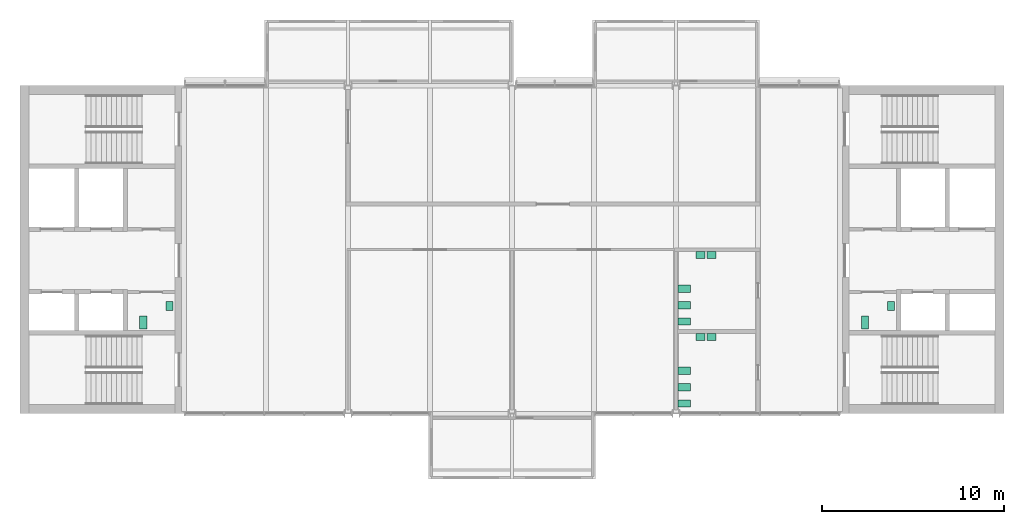
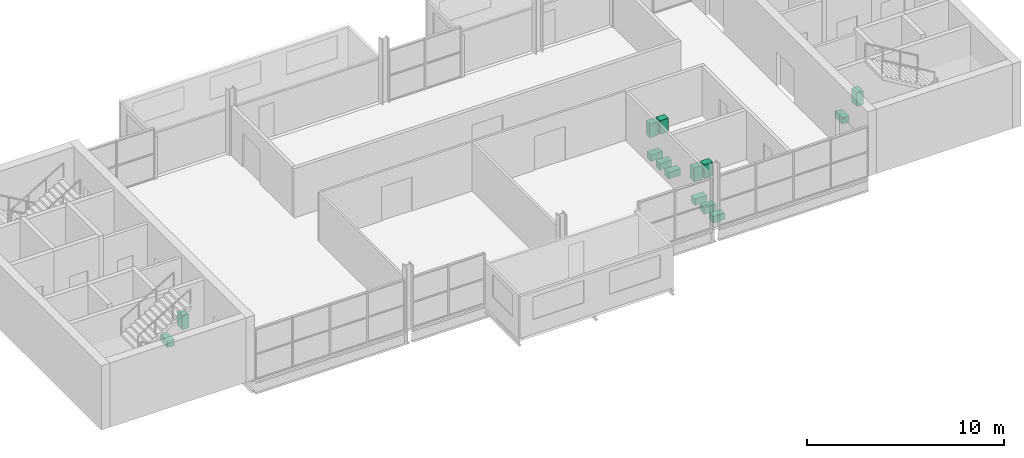
# One storey, part 10 of 10: 14 sanitary terminals.
"""IFC4 building model written with IfcOpenShell, lengths in metres."""

from ifc_helpers import new_model, si_unit, direction, frame, origin, origin_2d, place, context, subcontext, project, spatial, rectangle, extrude, element, save


model = new_model("IFC4")

# Units and contexts
model_context = context("Model", 3, precision=1e-05, world=origin(), true_north=direction((0.0, 1.0)))
body_context = subcontext(model_context, "Body", "Model", "MODEL_VIEW")
ifc_project = project(units=[si_unit("LENGTHUNIT", "METRE"), si_unit("AREAUNIT", "SQUARE_METRE"), si_unit("VOLUMEUNIT", "CUBIC_METRE"), si_unit("PLANEANGLEUNIT", "RADIAN"), si_unit("MASSUNIT", "GRAM", prefix="KILO")], contexts=[model_context])

# Site, building, storey
site_placement = place(None, origin())
site = spatial("IfcSite", under=ifc_project, at=site_placement, CompositionType="ELEMENT")
building_placement = place(site_placement, origin())
building = spatial("IfcBuilding", under=site, at=building_placement, Name="Corbel Yard City Hall", CompositionType="ELEMENT")
storey_placement = place(building_placement, frame((0.0, 0.0, 47.199951171875)))
storey = spatial("IfcBuildingStorey", under=building, at=storey_placement, Name="L11", CompositionType="ELEMENT", Elevation=47.199951171875)

# Sanitary terminals
sanitary_terminal_1_placement = place(storey_placement, frame((46.36669921875, 104.0, 0.0), z_axis=(0.0, 0.0, 1.0), x_axis=(1.0, 0.0, 0.0)))
element("IfcSanitaryTerminal", 1, at=sanitary_terminal_1_placement, inside=storey, Name="Water closet", PredefinedType="TOILETPAN", context=body_context, shape_type="SweptSolid", body=[
    extrude(rectangle(XDim=0.39990234375, YDim=0.699951171875, at=origin_2d()), origin(), (0.0, 0.0, 1.0), 0.39990234375),
])
sanitary_terminal_2_placement = place(storey_placement, frame((47.800048828125, 104.89990234375, 0.0), z_axis=(0.0, 0.0, 1.0), x_axis=(1.0, 0.0, 0.0)))
element("IfcSanitaryTerminal", 2, at=sanitary_terminal_2_placement, inside=storey, Name="Wash basin", PredefinedType="WASHHANDBASIN", context=body_context, shape_type="SweptSolid", body=[
    extrude(rectangle(XDim=0.39990234375, YDim=0.5, at=origin_2d()), origin(), (0.0, 0.0, 1.0), 0.85009765625),
])
sanitary_terminal_3_placement = place(storey_placement, frame((6.7666015625, 104.0, 0.0), z_axis=(0.0, 0.0, 1.0), x_axis=(1.0, 0.0, 0.0)))
element("IfcSanitaryTerminal", 3, at=sanitary_terminal_3_placement, inside=storey, Name="Water closet", PredefinedType="TOILETPAN", context=body_context, shape_type="SweptSolid", body=[
    extrude(rectangle(XDim=0.39990234375, YDim=0.699951171875, at=origin_2d()), origin(), (0.0, 0.0, 1.0), 0.39990234375),
])
sanitary_terminal_4_placement = place(storey_placement, frame((8.199951171875, 104.89990234375, 0.0), z_axis=(0.0, 0.0, 1.0), x_axis=(1.0, 0.0, 0.0)))
element("IfcSanitaryTerminal", 4, at=sanitary_terminal_4_placement, inside=storey, Name="Wash basin", PredefinedType="WASHHANDBASIN", context=body_context, shape_type="SweptSolid", body=[
    extrude(rectangle(XDim=0.39990234375, YDim=0.5, at=origin_2d()), origin(), (0.0, 0.0, 1.0), 0.85009765625),
])
for number, where, z_axis, x_axis, name in (
    (5, (36.449951171875, 99.550048828125, 0.0), (0.0, 0.0, 1.0), (1.0, 0.0, 0.0), "Water closet"),
    (6, (36.449951171875, 100.449951171875, 0.0), (0.0, 0.0, 1.0), (1.0, 0.0, 0.0), "Water closet"),
    (7, (36.449951171875, 101.35009765625, 0.0), (0.0, 0.0, 1.0), (1.0, 0.0, 0.0), "Water closet"),
):
    element("IfcSanitaryTerminal", number, at=place(storey_placement, frame(where, z_axis=z_axis, x_axis=x_axis)), inside=storey, Name=name, PredefinedType="TOILETPAN", context=body_context, shape_type="SweptSolid", body=[
        extrude(rectangle(XDim=0.699951171875, YDim=0.39990234375, at=origin_2d()), origin(), (0.0, 0.0, 1.0), 0.39990234375),
    ])
for number, where, z_axis, x_axis, name in (
    (8, (37.35009765625, 103.199951171875, 0.0), (0.0, 0.0, 1.0), (1.0, 0.0, 0.0), "Wash basin"),
    (9, (37.949951171875, 103.199951171875, 0.0), (0.0, 0.0, 1.0), (1.0, 0.0, 0.0), "Wash basin"),
):
    element("IfcSanitaryTerminal", number, at=place(storey_placement, frame(where, z_axis=z_axis, x_axis=x_axis)), inside=storey, Name=name, PredefinedType="WASHHANDBASIN", context=body_context, shape_type="SweptSolid", body=[
        extrude(rectangle(XDim=0.5, YDim=0.39990234375, at=origin_2d()), origin(), (0.0, 0.0, 1.0), 0.85009765625),
    ])
for number, where, z_axis, x_axis, name in (
    (10, (36.449951171875, 104.050048828125, 0.0), (0.0, 0.0, 1.0), (1.0, 0.0, 0.0), "Water closet"),
    (11, (36.449951171875, 104.949951171875, 0.0), (0.0, 0.0, 1.0), (1.0, 0.0, 0.0), "Water closet"),
    (12, (36.449951171875, 105.85009765625, 0.0), (0.0, 0.0, 1.0), (1.0, 0.0, 0.0), "Water closet"),
):
    element("IfcSanitaryTerminal", number, at=place(storey_placement, frame(where, z_axis=z_axis, x_axis=x_axis)), inside=storey, Name=name, PredefinedType="TOILETPAN", context=body_context, shape_type="SweptSolid", body=[
        extrude(rectangle(XDim=0.699951171875, YDim=0.39990234375, at=origin_2d()), origin(), (0.0, 0.0, 1.0), 0.39990234375),
    ])
for number, where, z_axis, x_axis, name in (
    (13, (37.35009765625, 107.699951171875, 0.0), (0.0, 0.0, 1.0), (1.0, 0.0, 0.0), "Wash basin"),
    (14, (37.949951171875, 107.699951171875, 0.0), (0.0, 0.0, 1.0), (1.0, 0.0, 0.0), "Wash basin"),
):
    element("IfcSanitaryTerminal", number, at=place(storey_placement, frame(where, z_axis=z_axis, x_axis=x_axis)), inside=storey, Name=name, PredefinedType="WASHHANDBASIN", context=body_context, shape_type="SweptSolid", body=[
        extrude(rectangle(XDim=0.5, YDim=0.39990234375, at=origin_2d()), origin(), (0.0, 0.0, 1.0), 0.85009765625),
    ])

save(model, "model.ifc")
